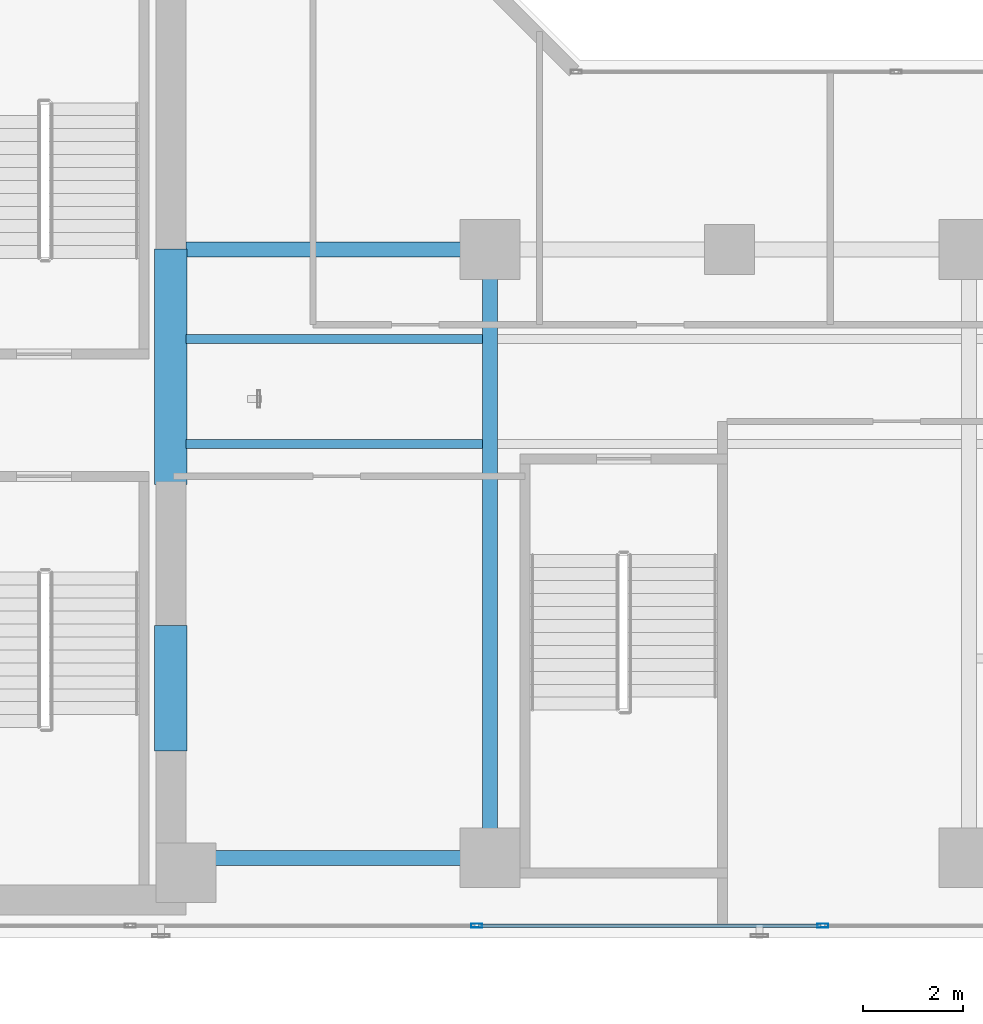
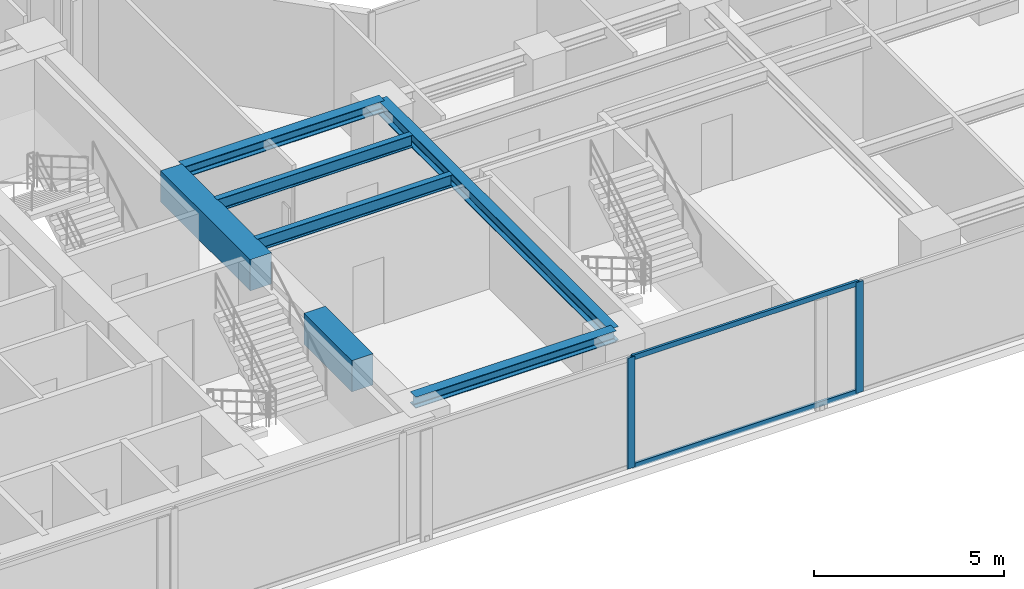
# One storey, part 4 of 26: 7 beams, 4 members, 1 element without a shape of its own.
"""IFC4 building model written with IfcOpenShell, lengths in metres."""

from ifc_helpers import new_model, si_unit, direction, frame, origin, origin_with_axes, origin_2d, place, context, subcontext, project, spatial, rectangle, hollow_rectangle, i_section, extrude, source, transform, mapped, material, layer, layer_set, material_profile, profile_set, type_object, element, aggregate, save


model = new_model("IFC4")

# Units and contexts
model_context = context("Model", 3, precision=1e-05, world=origin(), true_north=direction((0.0, 1.0)))
body_context = subcontext(model_context, "Body", "Model", "MODEL_VIEW")
ifc_project = project(units=[si_unit("LENGTHUNIT", "METRE"), si_unit("AREAUNIT", "SQUARE_METRE"), si_unit("VOLUMEUNIT", "CUBIC_METRE"), si_unit("PLANEANGLEUNIT", "RADIAN"), si_unit("MASSUNIT", "GRAM", prefix="KILO")], contexts=[model_context])

# Site, building, storey
site_placement = place(None, origin())
site = spatial("IfcSite", under=ifc_project, at=site_placement, CompositionType="ELEMENT")
building_placement = place(site_placement, origin())
building = spatial("IfcBuilding", under=site, at=building_placement, Name="Kolvaren Waterfront Exchange", CompositionType="ELEMENT")
storey_placement = place(building_placement, frame((0.0, 0.0, 150.0)))
storey = spatial("IfcBuildingStorey", under=building, at=storey_placement, Name="L38", CompositionType="ELEMENT", Elevation=150.0)

# Beams
ifc_material_1 = material(Name="Steel S355", Category="steel")
ifc_material_profile_1 = material_profile(ifc_material_1, i_section(OverallWidth=0.300048828125, OverallDepth=0.360107421875, WebThickness=0.012451171875, FlangeThickness=0.0224609375, FilletRadius=0.027099609375, at=origin_2d()), Name="HEB360")
ifc_profile_set_1 = profile_set([ifc_material_profile_1], Name="Steel S355")
beam_type_1 = type_object("IfcBeamType", Name="STR-BM-HEB360", PredefinedType="SPANDREL", material=ifc_profile_set_1)
for number, where, z_axis, x_axis, name in (
    (1, (21.10009765625, 5.199951171875, 3.3798828125), (1.0, 0.0, 0.0), (0.0, 1.0, 0.0), "L38 east-arm spandrel S1"),
    (2, (21.10009765625, 17.39990234375, 3.3798828125), (1.0, 0.0, 0.0), (0.0, 1.0, 0.0), "L38 east-arm spandrel N1"),
):
    element("IfcBeam", number, at=place(storey_placement, frame(where, z_axis=z_axis, x_axis=x_axis)), inside=storey, type_object=beam_type_1, Name=name, PredefinedType="SPANDREL", context=body_context, shape_type="SweptSolid", body=[
        extrude(i_section(OverallWidth=0.300048828125, OverallDepth=0.360107421875, WebThickness=0.012451171875, FlangeThickness=0.0224609375, FilletRadius=0.027099609375, at=origin_2d()), origin(), (0.0, 0.0, 1.0), 6.099853515625),
    ])
ifc_material_profile_2 = material_profile(ifc_material_1, i_section(OverallWidth=0.300048828125, OverallDepth=0.449951171875, WebThickness=0.013916015625, FlangeThickness=0.02587890625, FilletRadius=0.027099609375, at=origin_2d()), Name="HEB450")
ifc_profile_set_2 = profile_set([ifc_material_profile_2], Name="Steel S355")
beam_type_2 = type_object("IfcBeamType", Name="STR-BM-HEB450", PredefinedType="BEAM", material=ifc_profile_set_2)
beam_1_placement = place(storey_placement, frame((27.199951171875, 5.199951171875, 3.3349609375), z_axis=(0.0, 1.0, 0.0), x_axis=(-1.0, 0.0, 0.0)))
element("IfcBeam", 3, at=beam_1_placement, inside=storey, type_object=beam_type_2, Name="L38 east-arm transverse girder X27", PredefinedType="BEAM", context=body_context, shape_type="SweptSolid", body=[
    extrude(i_section(OverallWidth=0.300048828125, OverallDepth=0.449951171875, WebThickness=0.013916015625, FlangeThickness=0.02587890625, FilletRadius=0.027099609375, at=origin_2d()), origin(), (0.0, 0.0, 1.0), 12.199951171875),
])
ifc_material_profile_3 = material_profile(ifc_material_1, i_section(OverallWidth=0.179931640625, OverallDepth=0.39990234375, WebThickness=0.008544921875, FlangeThickness=0.013427734375, FilletRadius=0.02099609375, at=origin_2d()), Name="IPE400")
ifc_profile_set_3 = profile_set([ifc_material_profile_3], Name="Steel S355")
beam_type_3 = type_object("IfcBeamType", Name="STR-BM-IPE400", PredefinedType="JOIST", material=ifc_profile_set_3)
for number, where, z_axis, x_axis, name in (
    (4, (21.10009765625, 13.5, 3.360107421875), (1.0, 0.0, 0.0), (0.0, 1.0, 0.0), "L38 east-arm composite joist 1A"),
    (5, (21.10009765625, 15.60009765625, 3.360107421875), (1.0, 0.0, 0.0), (0.0, 1.0, 0.0), "L38 east-arm composite joist 1C"),
):
    element("IfcBeam", number, at=place(storey_placement, frame(where, z_axis=z_axis, x_axis=x_axis)), inside=storey, type_object=beam_type_3, Name=name, PredefinedType="JOIST", context=body_context, shape_type="SweptSolid", body=[
        extrude(i_section(OverallWidth=0.179931640625, OverallDepth=0.39990234375, WebThickness=0.008544921875, FlangeThickness=0.013427734375, FilletRadius=0.02099609375, at=origin_2d()), origin(), (0.0, 0.0, 1.0), 5.947998046875),
    ])
ifc_material_2 = material(Name="Concrete C60/75", Category="concrete")
ifc_material_profile_4 = material_profile(ifc_material_2, rectangle(XDim=0.64990234375, YDim=1.0, at=origin_2d()), Name="RC-CB-1000x650")
ifc_profile_set_4 = profile_set([ifc_material_profile_4], Name="Concrete C60/75")
beam_type_4 = type_object("IfcBeamType", Name="STR-CB-1000", PredefinedType="SPANDREL", material=ifc_profile_set_4)
beam_2_placement = place(storey_placement, frame((20.800048828125, 7.340087890625, 3.06005859375), z_axis=(0.0, 1.0, 0.0), x_axis=(-1.0, 0.0, 0.0)))
element("IfcBeam", 6, at=beam_2_placement, inside=storey, type_object=beam_type_4, Name="L38 core coupling beam 1", PredefinedType="SPANDREL", context=body_context, shape_type="SweptSolid", body=[
    extrude(rectangle(XDim=0.64990234375, YDim=1.0, at=origin_2d()), origin(), (0.0, 0.0, 1.0), 2.52001953125),
])
beam_3_placement = place(storey_placement, frame((20.800048828125, 12.68994140625, 3.06005859375), z_axis=(0.0, 1.0, 0.0), x_axis=(-1.0, 0.0, 0.0)))
element("IfcBeam", 7, at=beam_3_placement, inside=storey, type_object=beam_type_4, Name="L38 core coupling beam 2", PredefinedType="SPANDREL", context=body_context, shape_type="SweptSolid", body=[
    extrude(rectangle(XDim=0.64990234375, YDim=1.0, at=origin_2d()), origin(), (0.0, 0.0, 1.0), 4.719970703125),
])

# Curtain wall, members
ifc_material_3 = material(Name="Anodised bronze aluminium 6063-T6", Category="aluminium")
ifc_layer = layer(ifc_material_3, 0.219970703125, Name="Anodised bronze aluminium 6063-T6")
ifc_layer_set = layer_set([ifc_layer], Name="Anodised bronze aluminium 6063-T6")
curtain_wall_type = type_object("IfcCurtainWallType", Name="ARC-CW-SYS1", PredefinedType="USERDEFINED", material=ifc_layer_set)
curtain_wall_placement = place(storey_placement, origin())
curtain_wall = element("IfcCurtainWall", 8, at=curtain_wall_placement, inside=storey, type_object=curtain_wall_type, Name="L38 stick curtain wall CW1 (CW-L38-S)", ObjectType="STICK CURTAIN WALL", PredefinedType="USERDEFINED")
ifc_material_4 = material(Name="Anodised aluminium 6063-T6", Category="aluminium")
ifc_material_profile_5 = material_profile(ifc_material_4, hollow_rectangle(XDim=0.080078125, YDim=0.219970703125, WallThickness=0.0048828125, at=origin_2d()), Name="ALU-MUL-220x80x5")
ifc_profile_set_5 = profile_set([ifc_material_profile_5], Name="Anodised aluminium 6063-T6")
member_type_1 = type_object("IfcMemberType", Name="ARC-CWM-220", PredefinedType="MULLION", material=ifc_profile_set_5)
shared_shape_1 = source(origin_with_axes(), body_context, "Body", "SweptSolid", [
    extrude(hollow_rectangle(XDim=0.080078125, YDim=0.219970703125, WallThickness=0.0048828125, at=origin_2d()), origin(), (0.0, 0.0, 1.0), 3.56005859375),
])
member_1_placement = place(storey_placement, frame((26.928466796875, 3.840087890625, 0.0), z_axis=(0.0, 0.0, 1.0), x_axis=(0.0, 1.0, 0.0)))
member_1 = element("IfcMember", 9, at=member_1_placement, type_object=member_type_1, Name="CW1 mullion 4", PredefinedType="MULLION", context=body_context, shape_type="MappedRepresentation", body=[
    mapped(shared_shape_1, transform((0.0, 0.0, 0.0), x_axis=(1.0, 0.0, 0.0), y_axis=(0.0, 1.0, 0.0), z_axis=(0.0, 0.0, 1.0), scale=1.0)),
])
member_2_placement = place(storey_placement, frame((33.871337890625, 3.840087890625, 0.0), z_axis=(0.0, 0.0, 1.0), x_axis=(0.0, 1.0, 0.0)))
member_2 = element("IfcMember", 10, at=member_2_placement, type_object=member_type_1, Name="CW1 mullion 5", PredefinedType="MULLION", context=body_context, shape_type="MappedRepresentation", body=[
    mapped(shared_shape_1, transform((0.0, 0.0, 0.0), x_axis=(1.0, 0.0, 0.0), y_axis=(0.0, 1.0, 0.0), z_axis=(0.0, 0.0, 1.0), scale=1.0)),
])
ifc_material_profile_6 = material_profile(ifc_material_4, hollow_rectangle(XDim=0.074951171875, YDim=0.159912109375, WallThickness=0.00439453125, at=origin_2d()), Name="ALU-TRN-160x75x4.5")
ifc_profile_set_6 = profile_set([ifc_material_profile_6], Name="Anodised aluminium 6063-T6")
member_type_2 = type_object("IfcMemberType", Name="ARC-CWT-160", PredefinedType="USERDEFINED", material=ifc_profile_set_6)
shared_shape_2 = source(origin_with_axes(), body_context, "Body", "SweptSolid", [
    extrude(hollow_rectangle(XDim=0.074951171875, YDim=0.159912109375, WallThickness=0.00439453125, at=origin_2d()), origin(), (0.0, 0.0, 1.0), 6.863037109375),
])
member_3_placement = place(storey_placement, frame((26.968505859375, 3.840087890625, 0.03759765625), z_axis=(1.0, 0.0, 0.0), x_axis=(0.0, 1.0, 0.0)))
member_3 = element("IfcMember", 11, at=member_3_placement, type_object=member_type_2, Name="CW1 transom 4.1", ObjectType="TRANSOM", PredefinedType="USERDEFINED", context=body_context, shape_type="MappedRepresentation", body=[
    mapped(shared_shape_2, transform((0.0, 0.0, 0.0), x_axis=(1.0, 0.0, 0.0), y_axis=(0.0, 1.0, 0.0), z_axis=(0.0, 0.0, 1.0), scale=1.0)),
])
member_4_placement = place(storey_placement, frame((26.968505859375, 3.840087890625, 3.5224609375), z_axis=(1.0, 0.0, 0.0), x_axis=(0.0, 1.0, 0.0)))
member_4 = element("IfcMember", 12, at=member_4_placement, type_object=member_type_2, Name="CW1 transom 4.2", ObjectType="TRANSOM", PredefinedType="USERDEFINED", context=body_context, shape_type="MappedRepresentation", body=[
    mapped(shared_shape_2, transform((0.0, 0.0, 0.0), x_axis=(1.0, 0.0, 0.0), y_axis=(0.0, 1.0, 0.0), z_axis=(0.0, 0.0, 1.0), scale=1.0)),
])
aggregate(curtain_wall, [member_1, member_2, member_3, member_4])

save(model, "model.ifc")
